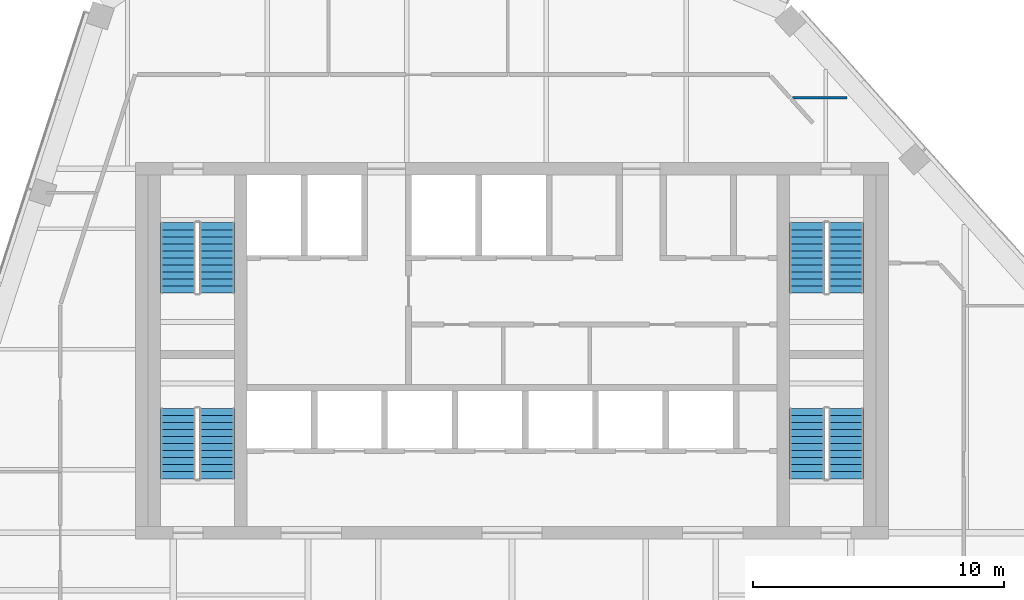
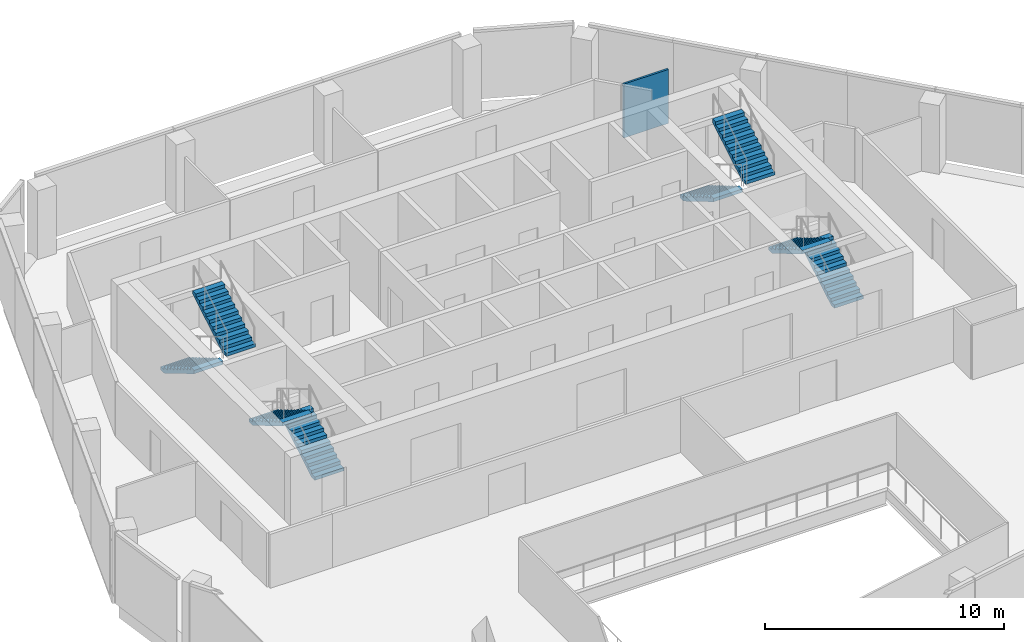
# One storey, part 10 of 15: 8 stair flights, 1 wall, 4 elements without a shape of their own.
"""IFC4 building model written with IfcOpenShell, lengths in metres."""

from ifc_helpers import new_model, si_unit, direction, frame, frame_2d, origin, place, context, subcontext, project, spatial, polyline, rectangle, outline, extrude, material, layer, layer_set, type_object, element, aggregate, save


model = new_model("IFC4")

# Units and contexts
model_context = context("Model", 3, precision=1e-05, world=origin(), true_north=direction((0.0, 1.0)))
body_context = subcontext(model_context, "Body", "Model", "MODEL_VIEW")
ifc_project = project(units=[si_unit("LENGTHUNIT", "METRE"), si_unit("AREAUNIT", "SQUARE_METRE"), si_unit("VOLUMEUNIT", "CUBIC_METRE"), si_unit("PLANEANGLEUNIT", "RADIAN"), si_unit("MASSUNIT", "GRAM", prefix="KILO")], contexts=[model_context])

# Site, building, storey
site_placement = place(None, origin())
site = spatial("IfcSite", under=ifc_project, at=site_placement, CompositionType="ELEMENT")
building_placement = place(site_placement, origin())
building = spatial("IfcBuilding", under=site, at=building_placement, Name="Isthmus Gate Tower", CompositionType="ELEMENT")
storey_placement = place(building_placement, frame((0.0, 0.0, 282.85009765625)))
storey = spatial("IfcBuildingStorey", under=building, at=storey_placement, Name="L72", CompositionType="ELEMENT", Elevation=282.85009765625)

# Wall
ifc_material_1 = material(Name="Gypsum board on steel studs, fire-rated", Category="steel")
ifc_layer = layer(ifc_material_1, 0.10009765625)
ifc_layer_set = layer_set([ifc_layer], Name="ROOM PARTITION 100 30 MIN")
wall_type = type_object("IfcWallType", Name="ROOM PARTITION 100 30 MIN", PredefinedType="PARTITIONING", material=ifc_layer_set)
wall_placement = place(storey_placement, frame((11.180908203125, 17.580078125, 0.0), z_axis=(0.0, 0.0, 1.0), x_axis=(1.0, 0.0, 0.0)))
element("IfcWall", 1, at=wall_placement, inside=storey, type_object=wall_type, Name="L72 Room Partition 100 30 Min", PredefinedType="PARTITIONING", context=body_context, shape_type="SweptSolid", body=[
    extrude(rectangle(XDim=2.156005859375, YDim=0.10009765625, at=frame_2d((1.078125, 0.0))), origin(), (0.0, 0.0, 1.0), 2.75048828125),
])

# Stair, stair flights
ifc_material_2 = material(Name="Concrete f'c 40 MPa", Category="concrete")
stair_type = type_object("IfcStairType", Name="CORE STAIR 22 RISERS", PredefinedType="HALF_TURN_STAIR", material=ifc_material_2)
stair_1_placement = place(storey_placement, origin())
stair_1 = element("IfcStair", 2, at=stair_1_placement, inside=storey, type_object=stair_type, Name="L72 Exit Stair 1", PredefinedType="HALF_TURN_STAIR")
ifc_material_3 = material(Name="Concrete f'c 40 MPa", Category="concrete")
stair_flight_type = type_object("IfcStairFlightType", Name="STAIR FLIGHT RC 1400", PredefinedType="STRAIGHT", material=ifc_material_3)
stair_flight_1_placement = place(storey_placement, frame((-13.300048828125, 12.60009765625, 0.0), z_axis=(0.0, 0.0, 1.0), x_axis=(0.0, -1.0, 0.0)))
stair_flight_1 = element("IfcStairFlight", 3, at=stair_flight_1_placement, type_object=stair_flight_type, Name="ST1 flight 1", NumberOfRisers=11, NumberOfTreads=10, PredefinedType="STRAIGHT", RiserHeight=0.165909091, TreadLength=0.28, context=body_context, shape_type="SweptSolid", body=[
    extrude(outline(polyline([(0.0, 0.0), (0.0, 0.166015625), (0.280029296875, 0.166015625), (0.280029296875, 0.331787109375), (0.56005859375, 0.331787109375), (0.56005859375, 0.497802734375), (0.840087890625, 0.497802734375), (0.840087890625, 0.66357421875), (1.1201171875, 0.66357421875), (1.1201171875, 0.82958984375), (1.39990234375, 0.82958984375), (1.39990234375, 0.995361328125), (1.679931640625, 0.995361328125), (1.679931640625, 1.161376953125), (1.9599609375, 1.161376953125), (1.9599609375, 1.327392578125), (2.239990234375, 1.327392578125), (2.239990234375, 1.4931640625), (2.52001953125, 1.4931640625), (2.52001953125, 1.6591796875), (2.800048828125, 1.6591796875), (2.800048828125, 1.824951171875), (2.800048828125, 1.48486328125), (0.2939453125, 0.0), (0.0, 0.0)])), frame((0.0, 0.699951171875, 0.0), z_axis=(0.0, -1.0, 0.0), x_axis=(1.0, 0.0, 0.0)), (0.0, 0.0, 1.0), 1.39990234375),
])
stair_flight_2_placement = place(storey_placement, frame((-11.75, 9.800048828125, 1.824951171875), z_axis=(0.0, 0.0, 1.0), x_axis=(0.0, 1.0, 0.0)))
stair_flight_2 = element("IfcStairFlight", 4, at=stair_flight_2_placement, type_object=stair_flight_type, Name="ST1 flight 2", NumberOfRisers=11, NumberOfTreads=10, PredefinedType="STRAIGHT", RiserHeight=0.165909091, TreadLength=0.28, context=body_context, shape_type="SweptSolid", body=[
    extrude(outline(polyline([(0.0, 0.0), (0.0, 0.166015625), (0.280029296875, 0.166015625), (0.280029296875, 0.331787109375), (0.56005859375, 0.331787109375), (0.56005859375, 0.497802734375), (0.840087890625, 0.497802734375), (0.840087890625, 0.66357421875), (1.1201171875, 0.66357421875), (1.1201171875, 0.82958984375), (1.39990234375, 0.82958984375), (1.39990234375, 0.995361328125), (1.679931640625, 0.995361328125), (1.679931640625, 1.161376953125), (1.9599609375, 1.161376953125), (1.9599609375, 1.327392578125), (2.239990234375, 1.327392578125), (2.239990234375, 1.4931640625), (2.52001953125, 1.4931640625), (2.52001953125, 1.6591796875), (2.800048828125, 1.6591796875), (2.800048828125, 1.824951171875), (2.800048828125, 1.48486328125), (0.2939453125, 0.0), (0.0, 0.0)])), frame((0.0, 0.699951171875, 0.0), z_axis=(0.0, -1.0, 0.0), x_axis=(1.0, 0.0, 0.0)), (0.0, 0.0, 1.0), 1.39990234375),
])
aggregate(stair_1, [stair_flight_1, stair_flight_2])

stair_2_placement = place(storey_placement, origin())
stair_2 = element("IfcStair", 5, at=stair_2_placement, inside=storey, type_object=stair_type, Name="L72 Exit Stair 2", PredefinedType="HALF_TURN_STAIR")
stair_flight_3_placement = place(storey_placement, frame((11.75, 12.60009765625, 0.0), z_axis=(0.0, 0.0, 1.0), x_axis=(0.0, -1.0, 0.0)))
stair_flight_3 = element("IfcStairFlight", 6, at=stair_flight_3_placement, type_object=stair_flight_type, Name="ST2 flight 1", NumberOfRisers=11, NumberOfTreads=10, PredefinedType="STRAIGHT", RiserHeight=0.165909091, TreadLength=0.28, context=body_context, shape_type="SweptSolid", body=[
    extrude(outline(polyline([(0.0, 0.0), (0.0, 0.166015625), (0.280029296875, 0.166015625), (0.280029296875, 0.331787109375), (0.56005859375, 0.331787109375), (0.56005859375, 0.497802734375), (0.840087890625, 0.497802734375), (0.840087890625, 0.66357421875), (1.1201171875, 0.66357421875), (1.1201171875, 0.82958984375), (1.39990234375, 0.82958984375), (1.39990234375, 0.995361328125), (1.679931640625, 0.995361328125), (1.679931640625, 1.161376953125), (1.9599609375, 1.161376953125), (1.9599609375, 1.327392578125), (2.239990234375, 1.327392578125), (2.239990234375, 1.4931640625), (2.52001953125, 1.4931640625), (2.52001953125, 1.6591796875), (2.800048828125, 1.6591796875), (2.800048828125, 1.824951171875), (2.800048828125, 1.48486328125), (0.2939453125, 0.0), (0.0, 0.0)])), frame((0.0, 0.699951171875, 0.0), z_axis=(0.0, -1.0, 0.0), x_axis=(1.0, 0.0, 0.0)), (0.0, 0.0, 1.0), 1.39990234375),
])
stair_flight_4_placement = place(storey_placement, frame((13.300048828125, 9.800048828125, 1.824951171875), z_axis=(0.0, 0.0, 1.0), x_axis=(0.0, 1.0, 0.0)))
stair_flight_4 = element("IfcStairFlight", 7, at=stair_flight_4_placement, type_object=stair_flight_type, Name="ST2 flight 2", NumberOfRisers=11, NumberOfTreads=10, PredefinedType="STRAIGHT", RiserHeight=0.165909091, TreadLength=0.28, context=body_context, shape_type="SweptSolid", body=[
    extrude(outline(polyline([(0.0, 0.0), (0.0, 0.166015625), (0.280029296875, 0.166015625), (0.280029296875, 0.331787109375), (0.56005859375, 0.331787109375), (0.56005859375, 0.497802734375), (0.840087890625, 0.497802734375), (0.840087890625, 0.66357421875), (1.1201171875, 0.66357421875), (1.1201171875, 0.82958984375), (1.39990234375, 0.82958984375), (1.39990234375, 0.995361328125), (1.679931640625, 0.995361328125), (1.679931640625, 1.161376953125), (1.9599609375, 1.161376953125), (1.9599609375, 1.327392578125), (2.239990234375, 1.327392578125), (2.239990234375, 1.4931640625), (2.52001953125, 1.4931640625), (2.52001953125, 1.6591796875), (2.800048828125, 1.6591796875), (2.800048828125, 1.824951171875), (2.800048828125, 1.48486328125), (0.2939453125, 0.0), (0.0, 0.0)])), frame((0.0, 0.699951171875, 0.0), z_axis=(0.0, -1.0, 0.0), x_axis=(1.0, 0.0, 0.0)), (0.0, 0.0, 1.0), 1.39990234375),
])
aggregate(stair_2, [stair_flight_3, stair_flight_4])

stair_3_placement = place(storey_placement, origin())
stair_3 = element("IfcStair", 8, at=stair_3_placement, inside=storey, type_object=stair_type, Name="L72 Exit Stair 7", PredefinedType="HALF_TURN_STAIR")
stair_flight_5_placement = place(storey_placement, frame((-11.75, 2.39990234375, 0.0), z_axis=(0.0, 0.0, 1.0), x_axis=(0.0, 1.0, 0.0)))
stair_flight_5 = element("IfcStairFlight", 9, at=stair_flight_5_placement, type_object=stair_flight_type, Name="ST7 flight 1", NumberOfRisers=11, NumberOfTreads=10, PredefinedType="STRAIGHT", RiserHeight=0.165909091, TreadLength=0.28, context=body_context, shape_type="SweptSolid", body=[
    extrude(outline(polyline([(0.0, 0.0), (0.0, 0.166015625), (0.280029296875, 0.166015625), (0.280029296875, 0.331787109375), (0.56005859375, 0.331787109375), (0.56005859375, 0.497802734375), (0.840087890625, 0.497802734375), (0.840087890625, 0.66357421875), (1.1201171875, 0.66357421875), (1.1201171875, 0.82958984375), (1.39990234375, 0.82958984375), (1.39990234375, 0.995361328125), (1.679931640625, 0.995361328125), (1.679931640625, 1.161376953125), (1.9599609375, 1.161376953125), (1.9599609375, 1.327392578125), (2.239990234375, 1.327392578125), (2.239990234375, 1.4931640625), (2.52001953125, 1.4931640625), (2.52001953125, 1.6591796875), (2.800048828125, 1.6591796875), (2.800048828125, 1.824951171875), (2.800048828125, 1.48486328125), (0.2939453125, 0.0), (0.0, 0.0)])), frame((0.0, 0.699951171875, 0.0), z_axis=(0.0, -1.0, 0.0), x_axis=(1.0, 0.0, 0.0)), (0.0, 0.0, 1.0), 1.39990234375),
])
stair_flight_6_placement = place(storey_placement, frame((-13.300048828125, 5.199951171875, 1.824951171875), z_axis=(0.0, 0.0, 1.0), x_axis=(0.0, -1.0, 0.0)))
stair_flight_6 = element("IfcStairFlight", 10, at=stair_flight_6_placement, type_object=stair_flight_type, Name="ST7 flight 2", NumberOfRisers=11, NumberOfTreads=10, PredefinedType="STRAIGHT", RiserHeight=0.165909091, TreadLength=0.28, context=body_context, shape_type="SweptSolid", body=[
    extrude(outline(polyline([(0.0, 0.0), (0.0, 0.166015625), (0.280029296875, 0.166015625), (0.280029296875, 0.331787109375), (0.56005859375, 0.331787109375), (0.56005859375, 0.497802734375), (0.840087890625, 0.497802734375), (0.840087890625, 0.66357421875), (1.1201171875, 0.66357421875), (1.1201171875, 0.82958984375), (1.39990234375, 0.82958984375), (1.39990234375, 0.995361328125), (1.679931640625, 0.995361328125), (1.679931640625, 1.161376953125), (1.9599609375, 1.161376953125), (1.9599609375, 1.327392578125), (2.239990234375, 1.327392578125), (2.239990234375, 1.4931640625), (2.52001953125, 1.4931640625), (2.52001953125, 1.6591796875), (2.800048828125, 1.6591796875), (2.800048828125, 1.824951171875), (2.800048828125, 1.48486328125), (0.2939453125, 0.0), (0.0, 0.0)])), frame((0.0, 0.699951171875, 0.0), z_axis=(0.0, -1.0, 0.0), x_axis=(1.0, 0.0, 0.0)), (0.0, 0.0, 1.0), 1.39990234375),
])
aggregate(stair_3, [stair_flight_5, stair_flight_6])

stair_4_placement = place(storey_placement, origin())
stair_4 = element("IfcStair", 11, at=stair_4_placement, inside=storey, type_object=stair_type, Name="L72 Exit Stair 8", PredefinedType="HALF_TURN_STAIR")
stair_flight_7_placement = place(storey_placement, frame((13.300048828125, 2.39990234375, 0.0), z_axis=(0.0, 0.0, 1.0), x_axis=(0.0, 1.0, 0.0)))
stair_flight_7 = element("IfcStairFlight", 12, at=stair_flight_7_placement, type_object=stair_flight_type, Name="ST8 flight 1", NumberOfRisers=11, NumberOfTreads=10, PredefinedType="STRAIGHT", RiserHeight=0.165909091, TreadLength=0.28, context=body_context, shape_type="SweptSolid", body=[
    extrude(outline(polyline([(0.0, 0.0), (0.0, 0.166015625), (0.280029296875, 0.166015625), (0.280029296875, 0.331787109375), (0.56005859375, 0.331787109375), (0.56005859375, 0.497802734375), (0.840087890625, 0.497802734375), (0.840087890625, 0.66357421875), (1.1201171875, 0.66357421875), (1.1201171875, 0.82958984375), (1.39990234375, 0.82958984375), (1.39990234375, 0.995361328125), (1.679931640625, 0.995361328125), (1.679931640625, 1.161376953125), (1.9599609375, 1.161376953125), (1.9599609375, 1.327392578125), (2.239990234375, 1.327392578125), (2.239990234375, 1.4931640625), (2.52001953125, 1.4931640625), (2.52001953125, 1.6591796875), (2.800048828125, 1.6591796875), (2.800048828125, 1.824951171875), (2.800048828125, 1.48486328125), (0.2939453125, 0.0), (0.0, 0.0)])), frame((0.0, 0.699951171875, 0.0), z_axis=(0.0, -1.0, 0.0), x_axis=(1.0, 0.0, 0.0)), (0.0, 0.0, 1.0), 1.39990234375),
])
stair_flight_8_placement = place(storey_placement, frame((11.75, 5.199951171875, 1.824951171875), z_axis=(0.0, 0.0, 1.0), x_axis=(0.0, -1.0, 0.0)))
stair_flight_8 = element("IfcStairFlight", 13, at=stair_flight_8_placement, type_object=stair_flight_type, Name="ST8 flight 2", NumberOfRisers=11, NumberOfTreads=10, PredefinedType="STRAIGHT", RiserHeight=0.165909091, TreadLength=0.28, context=body_context, shape_type="SweptSolid", body=[
    extrude(outline(polyline([(0.0, 0.0), (0.0, 0.166015625), (0.280029296875, 0.166015625), (0.280029296875, 0.331787109375), (0.56005859375, 0.331787109375), (0.56005859375, 0.497802734375), (0.840087890625, 0.497802734375), (0.840087890625, 0.66357421875), (1.1201171875, 0.66357421875), (1.1201171875, 0.82958984375), (1.39990234375, 0.82958984375), (1.39990234375, 0.995361328125), (1.679931640625, 0.995361328125), (1.679931640625, 1.161376953125), (1.9599609375, 1.161376953125), (1.9599609375, 1.327392578125), (2.239990234375, 1.327392578125), (2.239990234375, 1.4931640625), (2.52001953125, 1.4931640625), (2.52001953125, 1.6591796875), (2.800048828125, 1.6591796875), (2.800048828125, 1.824951171875), (2.800048828125, 1.48486328125), (0.2939453125, 0.0), (0.0, 0.0)])), frame((0.0, 0.699951171875, 0.0), z_axis=(0.0, -1.0, 0.0), x_axis=(1.0, 0.0, 0.0)), (0.0, 0.0, 1.0), 1.39990234375),
])
aggregate(stair_4, [stair_flight_7, stair_flight_8])

save(model, "model.ifc")
